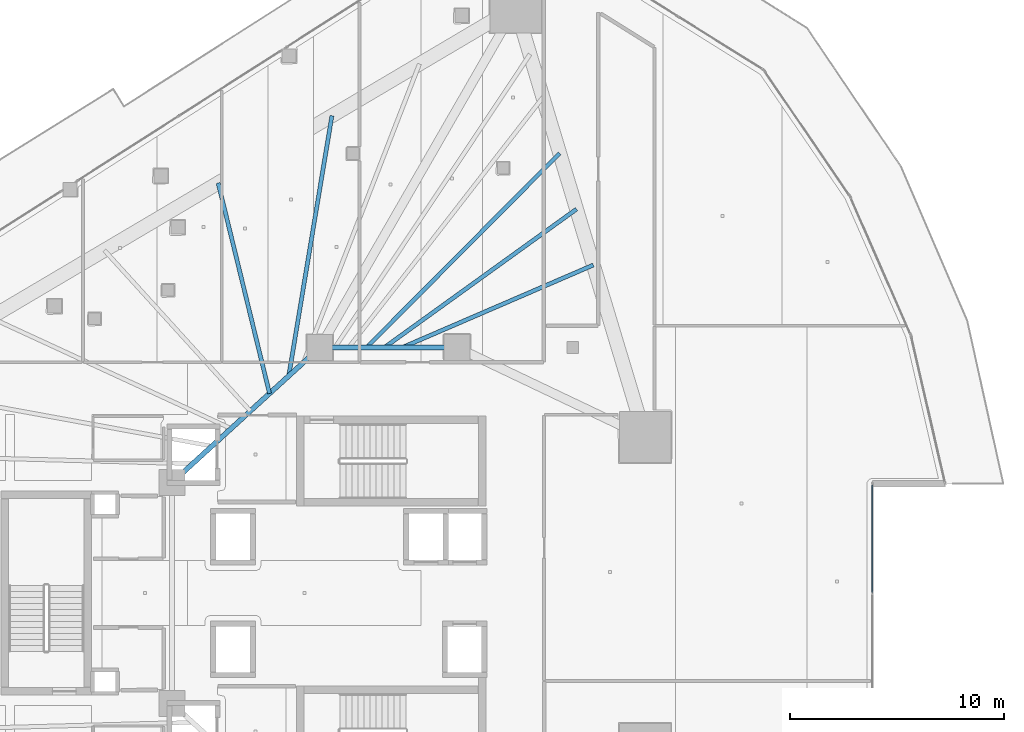
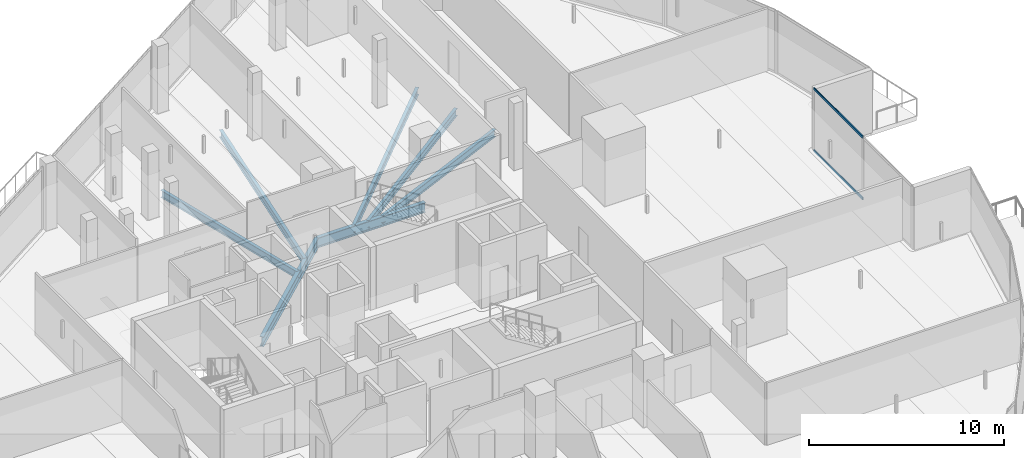
# One storey, part 19 of 45: 7 beams, 2 members, 1 element without a shape of its own.
"""IFC4 building model written with IfcOpenShell, lengths in metres."""

from ifc_helpers import new_model, si_unit, direction, frame, origin, origin_2d, place, context, subcontext, project, spatial, hollow_rectangle, i_section, extrude, material, layer, layer_set, material_profile, profile_set, type_object, element, aggregate, save


model = new_model("IFC4")

# Units and contexts
model_context = context("Model", 3, precision=1e-05, world=origin(), true_north=direction((0.0, 1.0)))
body_context = subcontext(model_context, "Body", "Model", "MODEL_VIEW")
ifc_project = project(units=[si_unit("LENGTHUNIT", "METRE"), si_unit("AREAUNIT", "SQUARE_METRE"), si_unit("VOLUMEUNIT", "CUBIC_METRE"), si_unit("PLANEANGLEUNIT", "RADIAN"), si_unit("MASSUNIT", "GRAM", prefix="KILO")], contexts=[model_context])

# Site, building, storey
site_placement = place(None, origin())
site = spatial("IfcSite", under=ifc_project, at=site_placement, CompositionType="ELEMENT")
building_placement = place(site_placement, origin())
building = spatial("IfcBuilding", under=site, at=building_placement, Name="Qorvath Tower", CompositionType="ELEMENT")
storey_placement = place(building_placement, frame((0.0, 0.0, 91.199951171875)))
storey = spatial("IfcBuildingStorey", under=building, at=storey_placement, Name="L20", CompositionType="ELEMENT", Elevation=91.199951171875)

# Beams
ifc_material_1 = material(Name="Steel ASTM A992 Grade 50", Category="steel")
ifc_material_profile_1 = material_profile(ifc_material_1, i_section(OverallWidth=0.22998046875, OverallDepth=0.616943359375, WebThickness=0.01318359375, FlangeThickness=0.022216796875, FilletRadius=0.014892578125, at=origin_2d()), Name="W24x94")
ifc_profile_set_1 = profile_set([ifc_material_profile_1], Name="Steel ASTM A992 Grade 50")
beam_type_1 = type_object("IfcBeamType", Name="BM-FG6", PredefinedType="BEAM", material=ifc_profile_set_1)
beam_1_placement = place(storey_placement, frame((-23.60009765625, 11.449951171875, -0.588623046875), z_axis=(1.0, 0.0, 0.0), x_axis=(0.0, 1.0, 0.0)))
element("IfcBeam", 1, at=beam_1_placement, inside=storey, type_object=beam_type_1, Name="Core Ring Girder CC1-CC2 L20", PredefinedType="BEAM", context=body_context, shape_type="SweptSolid", body=[
    extrude(i_section(OverallWidth=0.22998046875, OverallDepth=0.616943359375, WebThickness=0.01318359375, FlangeThickness=0.022216796875, FilletRadius=0.014892578125, at=origin_2d()), origin(), (0.0, 0.0, 1.0), 6.400146484375),
])
beam_2_placement = place(storey_placement, frame((-30.5, 5.14990234375, -0.588623046875), z_axis=(0.73847813985, 0.6742774184, 0.0), x_axis=(-0.6742774184, 0.73847813985, 0.0)))
element("IfcBeam", 2, at=beam_2_placement, inside=storey, type_object=beam_type_1, Name="Core Ring Girder CC5-CC1 L20", PredefinedType="BEAM", context=body_context, shape_type="SweptSolid", body=[
    extrude(i_section(OverallWidth=0.22998046875, OverallDepth=0.616943359375, WebThickness=0.01318359375, FlangeThickness=0.022216796875, FilletRadius=0.014892578125, at=origin_2d()), origin(), (0.0, 0.0, 1.0), 9.343505859375),
])
ifc_material_2 = material(Name="Steel ASTM A992 Grade 50", Category="steel")
ifc_material_profile_2 = material_profile(ifc_material_2, i_section(OverallWidth=0.18994140625, OverallDepth=0.45703125, WebThickness=0.009033203125, FlangeThickness=0.014404296875, FilletRadius=0.011962890625, at=origin_2d()), Name="W18x50")
ifc_profile_set_2 = profile_set([ifc_material_profile_2], Name="Steel ASTM A992 Grade 50")
beam_type_2 = type_object("IfcBeamType", Name="BM-FJ2", PredefinedType="JOIST", material=ifc_profile_set_2)
beam_3_placement = place(storey_placement, frame((-19.760009765625, 11.449951171875, -0.508544921875), z_axis=(0.918135537923, 0.396266493667, 0.0), x_axis=(-0.396266493667, 0.918135537923, 0.0)))
element("IfcBeam", 3, at=beam_3_placement, inside=storey, type_object=beam_type_2, Name="Composite Floor Joist NE3 L20", PredefinedType="JOIST", context=body_context, shape_type="SweptSolid", body=[
    extrude(i_section(OverallWidth=0.18994140625, OverallDepth=0.45703125, WebThickness=0.009033203125, FlangeThickness=0.014404296875, FilletRadius=0.011962890625, at=origin_2d()), origin(), (0.0, 0.0, 1.0), 9.7109375),
])
beam_4_placement = place(storey_placement, frame((-20.592041015625, 11.449951171875, -0.508544921875), z_axis=(0.811469358397, 0.584394969505, 0.0), x_axis=(-0.584394969505, 0.811469358397, 0.0)))
element("IfcBeam", 4, at=beam_4_placement, inside=storey, type_object=beam_type_2, Name="Composite Floor Joist NE4 L20", PredefinedType="JOIST", context=body_context, shape_type="SweptSolid", body=[
    extrude(i_section(OverallWidth=0.18994140625, OverallDepth=0.45703125, WebThickness=0.009033203125, FlangeThickness=0.014404296875, FilletRadius=0.011962890625, at=origin_2d()), origin(), (0.0, 0.0, 1.0), 11.046142578125),
])
beam_5_placement = place(storey_placement, frame((-21.424072265625, 11.449951171875, -0.508544921875), z_axis=(0.705107654599, 0.709100271771, 0.0), x_axis=(-0.709100271771, 0.705107654599, 0.0)))
element("IfcBeam", 5, at=beam_5_placement, inside=storey, type_object=beam_type_2, Name="Composite Floor Joist NE5 L20", PredefinedType="JOIST", context=body_context, shape_type="SweptSolid", body=[
    extrude(i_section(OverallWidth=0.18994140625, OverallDepth=0.45703125, WebThickness=0.009033203125, FlangeThickness=0.014404296875, FilletRadius=0.011962890625, at=origin_2d()), origin(), (0.0, 0.0, 1.0), 12.780029296875),
])
beam_6_placement = place(storey_placement, frame((-25.946044921875, 9.30810546875, -0.508544921875), z_axis=(-0.237165308581, 0.97146930801, 0.0), x_axis=(-0.97146930801, -0.237165308581, 0.0)))
element("IfcBeam", 6, at=beam_6_placement, inside=storey, type_object=beam_type_2, Name="Composite Floor Joist NW5 L20", PredefinedType="JOIST", context=body_context, shape_type="SweptSolid", body=[
    extrude(i_section(OverallWidth=0.18994140625, OverallDepth=0.45703125, WebThickness=0.009033203125, FlangeThickness=0.014404296875, FilletRadius=0.011962890625, at=origin_2d()), origin(), (0.0, 0.0, 1.0), 10.104736328125),
])
beam_7_placement = place(storey_placement, frame((-25.049072265625, 10.126953125, -0.508544921875), z_axis=(0.163639384475, 0.98652022374, 0.0), x_axis=(-0.98652022374, 0.163639384475, 0.0)))
element("IfcBeam", 7, at=beam_7_placement, inside=storey, type_object=beam_type_2, Name="Composite Floor Joist NW6 L20", PredefinedType="JOIST", context=body_context, shape_type="SweptSolid", body=[
    extrude(i_section(OverallWidth=0.18994140625, OverallDepth=0.45703125, WebThickness=0.009033203125, FlangeThickness=0.014404296875, FilletRadius=0.011962890625, at=origin_2d()), origin(), (0.0, 0.0, 1.0), 12.301025390625),
])

# Curtain wall, members
ifc_material_3 = material(Name="Anodised aluminium and triple low-E glass", Category="aluminium")
ifc_layer = layer(ifc_material_3, 0.179931640625)
ifc_layer_set = layer_set([ifc_layer], Name="CW-SYS-2")
curtain_wall_type = type_object("IfcCurtainWallType", Name="CW-SYS-2", PredefinedType="NOTDEFINED", material=ifc_layer_set)
curtain_wall_placement = place(storey_placement, origin())
curtain_wall = element("IfcCurtainWall", 8, at=curtain_wall_placement, inside=storey, type_object=curtain_wall_type, Name="Curtain Wall CW-2 CW-T-L20-9.1", PredefinedType="NOTDEFINED")
ifc_material_4 = material(Name="Anodised aluminium 6063-T6", Category="aluminium")
ifc_material_profile_3 = material_profile(ifc_material_4, hollow_rectangle(XDim=0.06494140625, YDim=0.159912109375, WallThickness=0.00341796875, InnerFilletRadius=0.00341796875, OuterFilletRadius=0.007080078125, at=origin_2d()), Name="CWT 160x65")
ifc_profile_set_3 = profile_set([ifc_material_profile_3], Name="Anodised aluminium 6063-T6")
member_type = type_object("IfcMemberType", Name="CWT-160", PredefinedType="USERDEFINED", material=ifc_profile_set_3)
member_1_placement = place(storey_placement, frame((2.17236328125, 0.032470703125, 0.032470703125), z_axis=(0.0, 1.0, 0.0), x_axis=(-1.0, 0.0, 0.0)))
member_1 = element("IfcMember", 9, at=member_1_placement, type_object=member_type, Name="CW-2 transom 2.1", ObjectType="TRANSOM", PredefinedType="USERDEFINED", context=body_context, shape_type="SweptSolid", body=[
    extrude(hollow_rectangle(XDim=0.06494140625, YDim=0.159912109375, WallThickness=0.00341796875, InnerFilletRadius=0.00341796875, OuterFilletRadius=0.007080078125, at=origin_2d()), origin(), (0.0, 0.0, 1.0), 5.000244140625),
])
member_2_placement = place(storey_placement, frame((2.17236328125, 0.032470703125, 3.8876953125), z_axis=(0.0, 1.0, 0.0), x_axis=(-1.0, 0.0, 0.0)))
member_2 = element("IfcMember", 10, at=member_2_placement, type_object=member_type, Name="CW-2 transom 2.2", ObjectType="TRANSOM", PredefinedType="USERDEFINED", context=body_context, shape_type="SweptSolid", body=[
    extrude(hollow_rectangle(XDim=0.06494140625, YDim=0.159912109375, WallThickness=0.00341796875, InnerFilletRadius=0.00341796875, OuterFilletRadius=0.007080078125, at=origin_2d()), origin(), (0.0, 0.0, 1.0), 5.000244140625),
])
aggregate(curtain_wall, [member_1, member_2])

save(model, "model.ifc")
